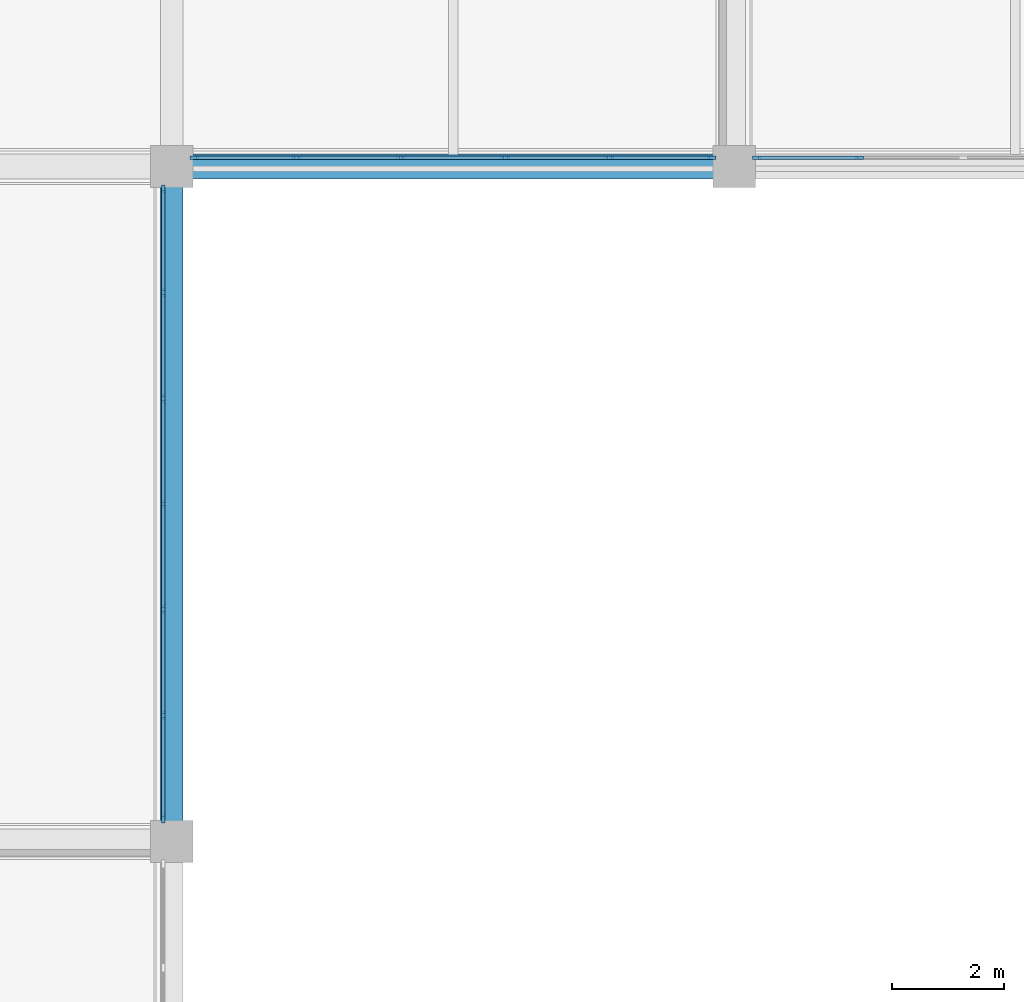
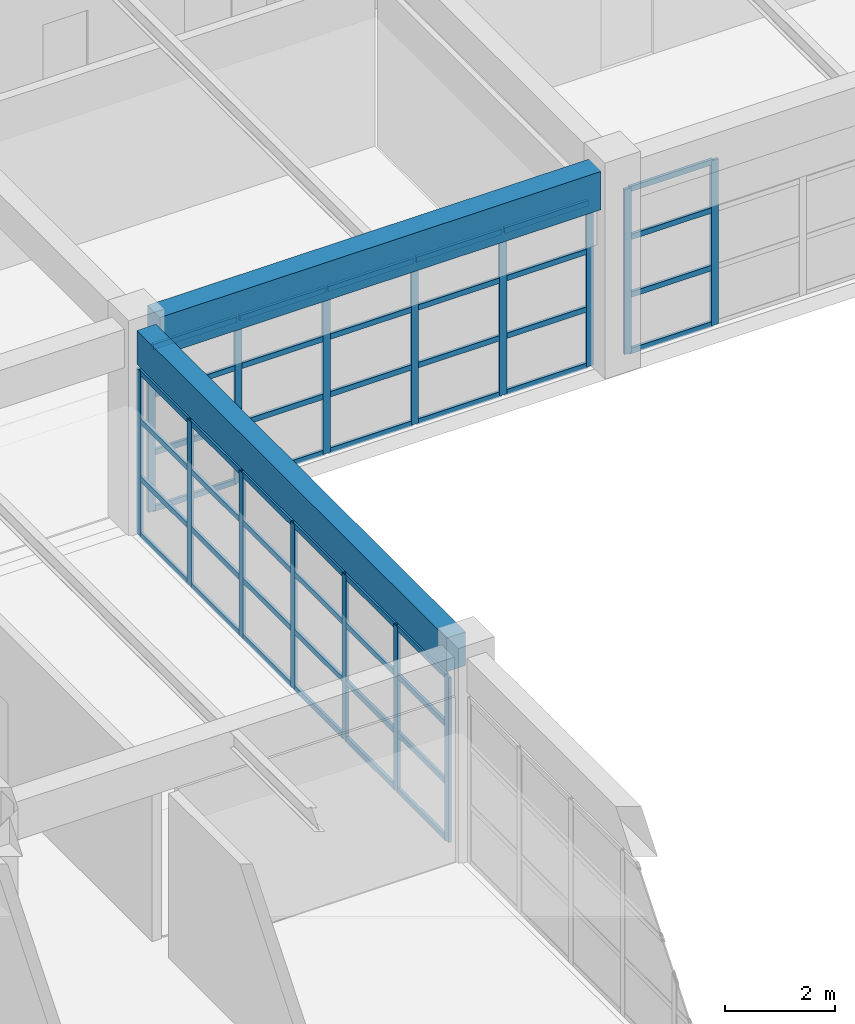
# One storey, part 56 of 109: 63 members, 2 beams, 3 elements without a shape of their own.
"""IFC4 building model written with IfcOpenShell, lengths in metres."""

from ifc_helpers import new_model, si_unit, direction, frame, origin, origin_2d, place, context, subcontext, project, spatial, rectangle, extrude, material, layer, layer_set, material_profile, profile_set, type_object, element, aggregate, save


model = new_model("IFC4")

# Units and contexts
model_context = context("Model", 3, precision=1e-05, world=origin(), true_north=direction((0.0, 1.0)))
body_context = subcontext(model_context, "Body", "Model", "MODEL_VIEW")
ifc_project = project(units=[si_unit("LENGTHUNIT", "METRE"), si_unit("AREAUNIT", "SQUARE_METRE"), si_unit("VOLUMEUNIT", "CUBIC_METRE"), si_unit("PLANEANGLEUNIT", "RADIAN"), si_unit("MASSUNIT", "GRAM", prefix="KILO")], contexts=[model_context])

# Site, building, storey
site_placement = place(None, origin())
site = spatial("IfcSite", under=ifc_project, at=site_placement, CompositionType="ELEMENT")
building_placement = place(site_placement, origin())
building = spatial("IfcBuilding", under=site, at=building_placement, Name="Kivolera Central Railway Station", CompositionType="ELEMENT")
storey_placement = place(building_placement, frame((0.0, 0.0, 9.60009765625)))
storey = spatial("IfcBuildingStorey", under=building, at=storey_placement, Name="L02", CompositionType="ELEMENT", Elevation=9.60009765625)

# Beams
ifc_material_1 = material(Name="Concrete C40/50", Category="concrete")
ifc_material_profile_1 = material_profile(ifc_material_1, rectangle(XDim=0.39990234375, YDim=0.75, at=origin_2d()), Name="RC 400x750")
ifc_profile_set_1 = profile_set([ifc_material_profile_1], Name="Concrete C40/50")
beam_type_1 = type_object("IfcBeamType", Name="BM-RC-400x750", PredefinedType="BEAM", material=ifc_profile_set_1)
beam_1_placement = place(storey_placement, frame((138.0, 102.366943359375, 4.14501953125), z_axis=(0.0, 1.0, 0.0), x_axis=(-1.0, 0.0, 0.0)))
element("IfcBeam", 1, at=beam_1_placement, inside=storey, type_object=beam_type_1, Name="L02 Wing Y-Beam 14:J-K", PredefinedType="BEAM", context=body_context, shape_type="SweptSolid", body=[
    extrude(rectangle(XDim=0.39990234375, YDim=0.75, at=origin_2d()), origin(), (0.0, 0.0, 1.0), 11.26611328125),
])
ifc_material_profile_2 = material_profile(ifc_material_1, rectangle(XDim=0.449951171875, YDim=0.85009765625, at=origin_2d()), Name="RC 450x850")
ifc_profile_set_2 = profile_set([ifc_material_profile_2], Name="Concrete C40/50")
beam_type_2 = type_object("IfcBeamType", Name="BM-RC-450x850", PredefinedType="BEAM", material=ifc_profile_set_2)
beam_2_placement = place(storey_placement, frame((138.366943359375, 114.0, 4.094970703125), z_axis=(1.0, 0.0, 0.0), x_axis=(0.0, 1.0, 0.0)))
element("IfcBeam", 2, at=beam_2_placement, inside=storey, type_object=beam_type_2, Name="L02 Wing X-Beam K:14-15", PredefinedType="BEAM", context=body_context, shape_type="SweptSolid", body=[
    extrude(rectangle(XDim=0.449951171875, YDim=0.85009765625, at=origin_2d()), origin(), (0.0, 0.0, 1.0), 9.26611328125),
])

# Curtain wall, members
ifc_material_2 = material(Name="Anodised aluminium", Category="aluminium")
ifc_layer_1 = layer(ifc_material_2, 0.179931640625, Name="Anodised aluminium")
ifc_layer_set_1 = layer_set([ifc_layer_1], Name="Anodised aluminium")
curtain_wall_type_1 = type_object("IfcCurtainWallType", Name="CW-SYS-27", PredefinedType="NOTDEFINED", material=ifc_layer_set_1)
curtain_wall_1_placement = place(storey_placement, origin())
curtain_wall_1 = element("IfcCurtainWall", 3, at=curtain_wall_1_placement, inside=storey, type_object=curtain_wall_type_1, Name="L02 Curtain Wall CW-L02-CRTN-138", PredefinedType="NOTDEFINED")
ifc_material_profile_3 = material_profile(ifc_material_2, rectangle(XDim=0.06005859375, YDim=0.14990234375, at=origin_2d()), Name="ALU MULL 60x150")
ifc_profile_set_3 = profile_set([ifc_material_profile_3], Name="Anodised aluminium")
member_type_1 = type_object("IfcMemberType", Name="CWM-MUL-2", PredefinedType="MULLION", material=ifc_profile_set_3)
member_1_placement = place(storey_placement, frame((147.60009765625, 114.153076171875, -0.005126953125), z_axis=(0.0, 0.0, 1.0), x_axis=(0.0, -1.0, 0.0)))
member_1 = element("IfcMember", 4, at=member_1_placement, type_object=member_type_1, Name="CW-27 mullion 1", PredefinedType="MULLION", context=body_context, shape_type="SweptSolid", body=[
    extrude(rectangle(XDim=0.06005859375, YDim=0.14990234375, at=origin_2d()), origin(), (0.0, 0.0, 1.0), 3.6630859375),
])
member_2_placement = place(storey_placement, frame((145.778076171875, 114.153076171875, -0.005126953125), z_axis=(0.0, 0.0, 1.0), x_axis=(0.0, -1.0, 0.0)))
member_2 = element("IfcMember", 5, at=member_2_placement, type_object=member_type_1, Name="CW-27 mullion 2", PredefinedType="MULLION", context=body_context, shape_type="SweptSolid", body=[
    extrude(rectangle(XDim=0.06005859375, YDim=0.14990234375, at=origin_2d()), origin(), (0.0, 0.0, 1.0), 3.6630859375),
])
member_3_placement = place(storey_placement, frame((143.926025390625, 114.153076171875, -0.005126953125), z_axis=(0.0, 0.0, 1.0), x_axis=(0.0, -1.0, 0.0)))
member_3 = element("IfcMember", 6, at=member_3_placement, type_object=member_type_1, Name="CW-27 mullion 3", PredefinedType="MULLION", context=body_context, shape_type="SweptSolid", body=[
    extrude(rectangle(XDim=0.06005859375, YDim=0.14990234375, at=origin_2d()), origin(), (0.0, 0.0, 1.0), 3.6630859375),
])
member_4_placement = place(storey_placement, frame((142.073974609375, 114.153076171875, -0.005126953125), z_axis=(0.0, 0.0, 1.0), x_axis=(0.0, -1.0, 0.0)))
member_4 = element("IfcMember", 7, at=member_4_placement, type_object=member_type_1, Name="CW-27 mullion 4", PredefinedType="MULLION", context=body_context, shape_type="SweptSolid", body=[
    extrude(rectangle(XDim=0.06005859375, YDim=0.14990234375, at=origin_2d()), origin(), (0.0, 0.0, 1.0), 3.6630859375),
])
member_5_placement = place(storey_placement, frame((140.221923828125, 114.153076171875, -0.005126953125), z_axis=(0.0, 0.0, 1.0), x_axis=(0.0, -1.0, 0.0)))
member_5 = element("IfcMember", 8, at=member_5_placement, type_object=member_type_1, Name="CW-27 mullion 5", PredefinedType="MULLION", context=body_context, shape_type="SweptSolid", body=[
    extrude(rectangle(XDim=0.06005859375, YDim=0.14990234375, at=origin_2d()), origin(), (0.0, 0.0, 1.0), 3.6630859375),
])
member_6_placement = place(storey_placement, frame((138.39990234375, 114.153076171875, -0.005126953125), z_axis=(0.0, 0.0, 1.0), x_axis=(0.0, -1.0, 0.0)))
member_6 = element("IfcMember", 9, at=member_6_placement, type_object=member_type_1, Name="CW-27 mullion 6", PredefinedType="MULLION", context=body_context, shape_type="SweptSolid", body=[
    extrude(rectangle(XDim=0.06005859375, YDim=0.14990234375, at=origin_2d()), origin(), (0.0, 0.0, 1.0), 3.6630859375),
])

curtain_wall_2_placement = place(storey_placement, origin())
curtain_wall_2 = element("IfcCurtainWall", 10, at=curtain_wall_2_placement, inside=storey, type_object=curtain_wall_type_1, Name="L02 Curtain Wall CW-L02-CRTN-148", PredefinedType="NOTDEFINED")
member_7_placement = place(storey_placement, frame((150.221923828125, 114.153076171875, -0.005126953125), z_axis=(0.0, 0.0, 1.0), x_axis=(0.0, -1.0, 0.0)))
member_7 = element("IfcMember", 11, at=member_7_placement, type_object=member_type_1, Name="CW-27 mullion 5", PredefinedType="MULLION", context=body_context, shape_type="SweptSolid", body=[
    extrude(rectangle(XDim=0.06005859375, YDim=0.14990234375, at=origin_2d()), origin(), (0.0, 0.0, 1.0), 3.6630859375),
])
member_8_placement = place(storey_placement, frame((148.39990234375, 114.153076171875, -0.005126953125), z_axis=(0.0, 0.0, 1.0), x_axis=(0.0, -1.0, 0.0)))
member_8 = element("IfcMember", 12, at=member_8_placement, type_object=member_type_1, Name="CW-27 mullion 6", PredefinedType="MULLION", context=body_context, shape_type="SweptSolid", body=[
    extrude(rectangle(XDim=0.06005859375, YDim=0.14990234375, at=origin_2d()), origin(), (0.0, 0.0, 1.0), 3.6630859375),
])

ifc_layer_2 = layer(ifc_material_2, 0.179931640625, Name="Anodised aluminium")
ifc_layer_set_2 = layer_set([ifc_layer_2], Name="Anodised aluminium")
curtain_wall_type_2 = type_object("IfcCurtainWallType", Name="CW-SYS-28", PredefinedType="NOTDEFINED", material=ifc_layer_set_2)
curtain_wall_3_placement = place(storey_placement, origin())
curtain_wall_3 = element("IfcCurtainWall", 13, at=curtain_wall_3_placement, inside=storey, type_object=curtain_wall_type_2, Name="L02 Curtain Wall CW-L02-CRTW-J", PredefinedType="NOTDEFINED")
member_9_placement = place(storey_placement, frame((137.846923828125, 113.60009765625, -0.005126953125), z_axis=(0.0, 0.0, 1.0), x_axis=(1.0, 0.0, 0.0)))
member_9 = element("IfcMember", 14, at=member_9_placement, type_object=member_type_1, Name="CW-28 mullion 1", PredefinedType="MULLION", context=body_context, shape_type="SweptSolid", body=[
    extrude(rectangle(XDim=0.06005859375, YDim=0.14990234375, at=origin_2d()), origin(), (0.0, 0.0, 1.0), 3.6630859375),
])
member_10_placement = place(storey_placement, frame((137.846923828125, 111.75341796875, -0.005126953125), z_axis=(0.0, 0.0, 1.0), x_axis=(1.0, 0.0, 0.0)))
member_10 = element("IfcMember", 15, at=member_10_placement, type_object=member_type_1, Name="CW-28 mullion 2", PredefinedType="MULLION", context=body_context, shape_type="SweptSolid", body=[
    extrude(rectangle(XDim=0.06005859375, YDim=0.14990234375, at=origin_2d()), origin(), (0.0, 0.0, 1.0), 3.6630859375),
])
member_11_placement = place(storey_placement, frame((137.846923828125, 109.876708984375, -0.005126953125), z_axis=(0.0, 0.0, 1.0), x_axis=(1.0, 0.0, 0.0)))
member_11 = element("IfcMember", 16, at=member_11_placement, type_object=member_type_1, Name="CW-28 mullion 3", PredefinedType="MULLION", context=body_context, shape_type="SweptSolid", body=[
    extrude(rectangle(XDim=0.06005859375, YDim=0.14990234375, at=origin_2d()), origin(), (0.0, 0.0, 1.0), 3.6630859375),
])
member_12_placement = place(storey_placement, frame((137.846923828125, 108.0, -0.005126953125), z_axis=(0.0, 0.0, 1.0), x_axis=(1.0, 0.0, 0.0)))
member_12 = element("IfcMember", 17, at=member_12_placement, type_object=member_type_1, Name="CW-28 mullion 4", PredefinedType="MULLION", context=body_context, shape_type="SweptSolid", body=[
    extrude(rectangle(XDim=0.06005859375, YDim=0.14990234375, at=origin_2d()), origin(), (0.0, 0.0, 1.0), 3.6630859375),
])
member_13_placement = place(storey_placement, frame((137.846923828125, 106.123291015625, -0.005126953125), z_axis=(0.0, 0.0, 1.0), x_axis=(1.0, 0.0, 0.0)))
member_13 = element("IfcMember", 18, at=member_13_placement, type_object=member_type_1, Name="CW-28 mullion 5", PredefinedType="MULLION", context=body_context, shape_type="SweptSolid", body=[
    extrude(rectangle(XDim=0.06005859375, YDim=0.14990234375, at=origin_2d()), origin(), (0.0, 0.0, 1.0), 3.6630859375),
])
member_14_placement = place(storey_placement, frame((137.846923828125, 104.24658203125, -0.005126953125), z_axis=(0.0, 0.0, 1.0), x_axis=(1.0, 0.0, 0.0)))
member_14 = element("IfcMember", 19, at=member_14_placement, type_object=member_type_1, Name="CW-28 mullion 6", PredefinedType="MULLION", context=body_context, shape_type="SweptSolid", body=[
    extrude(rectangle(XDim=0.06005859375, YDim=0.14990234375, at=origin_2d()), origin(), (0.0, 0.0, 1.0), 3.6630859375),
])
member_15_placement = place(storey_placement, frame((137.846923828125, 102.39990234375, -0.005126953125), z_axis=(0.0, 0.0, 1.0), x_axis=(1.0, 0.0, 0.0)))
member_15 = element("IfcMember", 20, at=member_15_placement, type_object=member_type_1, Name="CW-28 mullion 7", PredefinedType="MULLION", context=body_context, shape_type="SweptSolid", body=[
    extrude(rectangle(XDim=0.06005859375, YDim=0.14990234375, at=origin_2d()), origin(), (0.0, 0.0, 1.0), 3.6630859375),
])

# Member
ifc_material_profile_4 = material_profile(ifc_material_2, rectangle(XDim=0.06005859375, YDim=0.1201171875, at=origin_2d()), Name="ALU TRAN 60x120")
ifc_profile_set_4 = profile_set([ifc_material_profile_4], Name="Anodised aluminium")
member_type_2 = type_object("IfcMemberType", Name="CWM-TRN-2", PredefinedType="USERDEFINED", material=ifc_profile_set_4)
member_16_placement = place(storey_placement, frame((147.570068359375, 114.153076171875, 0.02978515625), z_axis=(-1.0, 0.0, 0.0), x_axis=(0.0, -1.0, 0.0)))
member_16 = element("IfcMember", 21, at=member_16_placement, type_object=member_type_2, Name="CW-27 transom 1.1", ObjectType="TRANSOM", PredefinedType="USERDEFINED", context=body_context, shape_type="SweptSolid", body=[
    extrude(rectangle(XDim=0.06005859375, YDim=0.1201171875, at=origin_2d()), origin(), (0.0, 0.0, 1.0), 1.761962890625),
])

member_17_placement = place(storey_placement, frame((147.570068359375, 114.153076171875, 1.2802734375), z_axis=(-1.0, 0.0, 0.0), x_axis=(0.0, -1.0, 0.0)))
member_17 = element("IfcMember", 22, at=member_17_placement, type_object=member_type_2, Name="CW-27 transom 1.2", ObjectType="TRANSOM", PredefinedType="USERDEFINED", context=body_context, shape_type="SweptSolid", body=[
    extrude(rectangle(XDim=0.06005859375, YDim=0.1201171875, at=origin_2d()), origin(), (0.0, 0.0, 1.0), 1.761962890625),
])

member_18_placement = place(storey_placement, frame((147.570068359375, 114.153076171875, 2.560546875), z_axis=(-1.0, 0.0, 0.0), x_axis=(0.0, -1.0, 0.0)))
member_18 = element("IfcMember", 23, at=member_18_placement, type_object=member_type_2, Name="CW-27 transom 1.3", ObjectType="TRANSOM", PredefinedType="USERDEFINED", context=body_context, shape_type="SweptSolid", body=[
    extrude(rectangle(XDim=0.06005859375, YDim=0.1201171875, at=origin_2d()), origin(), (0.0, 0.0, 1.0), 1.761962890625),
])

member_19_placement = place(storey_placement, frame((147.570068359375, 114.153076171875, 3.6279296875), z_axis=(-1.0, 0.0, 0.0), x_axis=(0.0, -1.0, 0.0)))
member_19 = element("IfcMember", 24, at=member_19_placement, type_object=member_type_2, Name="CW-27 transom 1.4", ObjectType="TRANSOM", PredefinedType="USERDEFINED", context=body_context, shape_type="SweptSolid", body=[
    extrude(rectangle(XDim=0.06005859375, YDim=0.1201171875, at=origin_2d()), origin(), (0.0, 0.0, 1.0), 1.761962890625),
])

member_20_placement = place(storey_placement, frame((145.748046875, 114.153076171875, 0.02978515625), z_axis=(-1.0, 0.0, 0.0), x_axis=(0.0, -1.0, 0.0)))
member_20 = element("IfcMember", 25, at=member_20_placement, type_object=member_type_2, Name="CW-27 transom 2.1", ObjectType="TRANSOM", PredefinedType="USERDEFINED", context=body_context, shape_type="SweptSolid", body=[
    extrude(rectangle(XDim=0.06005859375, YDim=0.1201171875, at=origin_2d()), origin(), (0.0, 0.0, 1.0), 1.7919921875),
])

member_21_placement = place(storey_placement, frame((145.748046875, 114.153076171875, 1.2802734375), z_axis=(-1.0, 0.0, 0.0), x_axis=(0.0, -1.0, 0.0)))
member_21 = element("IfcMember", 26, at=member_21_placement, type_object=member_type_2, Name="CW-27 transom 2.2", ObjectType="TRANSOM", PredefinedType="USERDEFINED", context=body_context, shape_type="SweptSolid", body=[
    extrude(rectangle(XDim=0.06005859375, YDim=0.1201171875, at=origin_2d()), origin(), (0.0, 0.0, 1.0), 1.7919921875),
])

member_22_placement = place(storey_placement, frame((145.748046875, 114.153076171875, 2.560546875), z_axis=(-1.0, 0.0, 0.0), x_axis=(0.0, -1.0, 0.0)))
member_22 = element("IfcMember", 27, at=member_22_placement, type_object=member_type_2, Name="CW-27 transom 2.3", ObjectType="TRANSOM", PredefinedType="USERDEFINED", context=body_context, shape_type="SweptSolid", body=[
    extrude(rectangle(XDim=0.06005859375, YDim=0.1201171875, at=origin_2d()), origin(), (0.0, 0.0, 1.0), 1.7919921875),
])

member_23_placement = place(storey_placement, frame((145.748046875, 114.153076171875, 3.6279296875), z_axis=(-1.0, 0.0, 0.0), x_axis=(0.0, -1.0, 0.0)))
member_23 = element("IfcMember", 28, at=member_23_placement, type_object=member_type_2, Name="CW-27 transom 2.4", ObjectType="TRANSOM", PredefinedType="USERDEFINED", context=body_context, shape_type="SweptSolid", body=[
    extrude(rectangle(XDim=0.06005859375, YDim=0.1201171875, at=origin_2d()), origin(), (0.0, 0.0, 1.0), 1.7919921875),
])

member_24_placement = place(storey_placement, frame((143.89599609375, 114.153076171875, 0.02978515625), z_axis=(-1.0, 0.0, 0.0), x_axis=(0.0, -1.0, 0.0)))
member_24 = element("IfcMember", 29, at=member_24_placement, type_object=member_type_2, Name="CW-27 transom 3.1", ObjectType="TRANSOM", PredefinedType="USERDEFINED", context=body_context, shape_type="SweptSolid", body=[
    extrude(rectangle(XDim=0.06005859375, YDim=0.1201171875, at=origin_2d()), origin(), (0.0, 0.0, 1.0), 1.7919921875),
])

member_25_placement = place(storey_placement, frame((143.89599609375, 114.153076171875, 1.2802734375), z_axis=(-1.0, 0.0, 0.0), x_axis=(0.0, -1.0, 0.0)))
member_25 = element("IfcMember", 30, at=member_25_placement, type_object=member_type_2, Name="CW-27 transom 3.2", ObjectType="TRANSOM", PredefinedType="USERDEFINED", context=body_context, shape_type="SweptSolid", body=[
    extrude(rectangle(XDim=0.06005859375, YDim=0.1201171875, at=origin_2d()), origin(), (0.0, 0.0, 1.0), 1.7919921875),
])

member_26_placement = place(storey_placement, frame((143.89599609375, 114.153076171875, 2.560546875), z_axis=(-1.0, 0.0, 0.0), x_axis=(0.0, -1.0, 0.0)))
member_26 = element("IfcMember", 31, at=member_26_placement, type_object=member_type_2, Name="CW-27 transom 3.3", ObjectType="TRANSOM", PredefinedType="USERDEFINED", context=body_context, shape_type="SweptSolid", body=[
    extrude(rectangle(XDim=0.06005859375, YDim=0.1201171875, at=origin_2d()), origin(), (0.0, 0.0, 1.0), 1.7919921875),
])

member_27_placement = place(storey_placement, frame((143.89599609375, 114.153076171875, 3.6279296875), z_axis=(-1.0, 0.0, 0.0), x_axis=(0.0, -1.0, 0.0)))
member_27 = element("IfcMember", 32, at=member_27_placement, type_object=member_type_2, Name="CW-27 transom 3.4", ObjectType="TRANSOM", PredefinedType="USERDEFINED", context=body_context, shape_type="SweptSolid", body=[
    extrude(rectangle(XDim=0.06005859375, YDim=0.1201171875, at=origin_2d()), origin(), (0.0, 0.0, 1.0), 1.7919921875),
])

member_28_placement = place(storey_placement, frame((142.0439453125, 114.153076171875, 0.02978515625), z_axis=(-1.0, 0.0, 0.0), x_axis=(0.0, -1.0, 0.0)))
member_28 = element("IfcMember", 33, at=member_28_placement, type_object=member_type_2, Name="CW-27 transom 4.1", ObjectType="TRANSOM", PredefinedType="USERDEFINED", context=body_context, shape_type="SweptSolid", body=[
    extrude(rectangle(XDim=0.06005859375, YDim=0.1201171875, at=origin_2d()), origin(), (0.0, 0.0, 1.0), 1.7919921875),
])

member_29_placement = place(storey_placement, frame((142.0439453125, 114.153076171875, 1.2802734375), z_axis=(-1.0, 0.0, 0.0), x_axis=(0.0, -1.0, 0.0)))
member_29 = element("IfcMember", 34, at=member_29_placement, type_object=member_type_2, Name="CW-27 transom 4.2", ObjectType="TRANSOM", PredefinedType="USERDEFINED", context=body_context, shape_type="SweptSolid", body=[
    extrude(rectangle(XDim=0.06005859375, YDim=0.1201171875, at=origin_2d()), origin(), (0.0, 0.0, 1.0), 1.7919921875),
])

member_30_placement = place(storey_placement, frame((142.0439453125, 114.153076171875, 2.560546875), z_axis=(-1.0, 0.0, 0.0), x_axis=(0.0, -1.0, 0.0)))
member_30 = element("IfcMember", 35, at=member_30_placement, type_object=member_type_2, Name="CW-27 transom 4.3", ObjectType="TRANSOM", PredefinedType="USERDEFINED", context=body_context, shape_type="SweptSolid", body=[
    extrude(rectangle(XDim=0.06005859375, YDim=0.1201171875, at=origin_2d()), origin(), (0.0, 0.0, 1.0), 1.7919921875),
])

member_31_placement = place(storey_placement, frame((142.0439453125, 114.153076171875, 3.6279296875), z_axis=(-1.0, 0.0, 0.0), x_axis=(0.0, -1.0, 0.0)))
member_31 = element("IfcMember", 36, at=member_31_placement, type_object=member_type_2, Name="CW-27 transom 4.4", ObjectType="TRANSOM", PredefinedType="USERDEFINED", context=body_context, shape_type="SweptSolid", body=[
    extrude(rectangle(XDim=0.06005859375, YDim=0.1201171875, at=origin_2d()), origin(), (0.0, 0.0, 1.0), 1.7919921875),
])

member_32_placement = place(storey_placement, frame((140.19189453125, 114.153076171875, 0.02978515625), z_axis=(-1.0, 0.0, 0.0), x_axis=(0.0, -1.0, 0.0)))
member_32 = element("IfcMember", 37, at=member_32_placement, type_object=member_type_2, Name="CW-27 transom 5.1", ObjectType="TRANSOM", PredefinedType="USERDEFINED", context=body_context, shape_type="SweptSolid", body=[
    extrude(rectangle(XDim=0.06005859375, YDim=0.1201171875, at=origin_2d()), origin(), (0.0, 0.0, 1.0), 1.761962890625),
])

member_33_placement = place(storey_placement, frame((140.19189453125, 114.153076171875, 1.2802734375), z_axis=(-1.0, 0.0, 0.0), x_axis=(0.0, -1.0, 0.0)))
member_33 = element("IfcMember", 38, at=member_33_placement, type_object=member_type_2, Name="CW-27 transom 5.2", ObjectType="TRANSOM", PredefinedType="USERDEFINED", context=body_context, shape_type="SweptSolid", body=[
    extrude(rectangle(XDim=0.06005859375, YDim=0.1201171875, at=origin_2d()), origin(), (0.0, 0.0, 1.0), 1.761962890625),
])

member_34_placement = place(storey_placement, frame((140.19189453125, 114.153076171875, 2.560546875), z_axis=(-1.0, 0.0, 0.0), x_axis=(0.0, -1.0, 0.0)))
member_34 = element("IfcMember", 39, at=member_34_placement, type_object=member_type_2, Name="CW-27 transom 5.3", ObjectType="TRANSOM", PredefinedType="USERDEFINED", context=body_context, shape_type="SweptSolid", body=[
    extrude(rectangle(XDim=0.06005859375, YDim=0.1201171875, at=origin_2d()), origin(), (0.0, 0.0, 1.0), 1.761962890625),
])

member_35_placement = place(storey_placement, frame((140.19189453125, 114.153076171875, 3.6279296875), z_axis=(-1.0, 0.0, 0.0), x_axis=(0.0, -1.0, 0.0)))
member_35 = element("IfcMember", 40, at=member_35_placement, type_object=member_type_2, Name="CW-27 transom 5.4", ObjectType="TRANSOM", PredefinedType="USERDEFINED", context=body_context, shape_type="SweptSolid", body=[
    extrude(rectangle(XDim=0.06005859375, YDim=0.1201171875, at=origin_2d()), origin(), (0.0, 0.0, 1.0), 1.761962890625),
])

aggregate(curtain_wall_1, [member_1, member_2, member_3, member_4, member_5, member_6, member_16, member_17, member_18, member_19, member_20, member_21, member_22, member_23, member_24, member_25, member_26, member_27, member_28, member_29, member_30, member_31, member_32, member_33, member_34, member_35])

member_36_placement = place(storey_placement, frame((150.19189453125, 114.153076171875, 0.02978515625), z_axis=(-1.0, 0.0, 0.0), x_axis=(0.0, -1.0, 0.0)))
member_36 = element("IfcMember", 41, at=member_36_placement, type_object=member_type_2, Name="CW-27 transom 5.1", ObjectType="TRANSOM", PredefinedType="USERDEFINED", context=body_context, shape_type="SweptSolid", body=[
    extrude(rectangle(XDim=0.06005859375, YDim=0.1201171875, at=origin_2d()), origin(), (0.0, 0.0, 1.0), 1.761962890625),
])

member_37_placement = place(storey_placement, frame((150.19189453125, 114.153076171875, 1.2802734375), z_axis=(-1.0, 0.0, 0.0), x_axis=(0.0, -1.0, 0.0)))
member_37 = element("IfcMember", 42, at=member_37_placement, type_object=member_type_2, Name="CW-27 transom 5.2", ObjectType="TRANSOM", PredefinedType="USERDEFINED", context=body_context, shape_type="SweptSolid", body=[
    extrude(rectangle(XDim=0.06005859375, YDim=0.1201171875, at=origin_2d()), origin(), (0.0, 0.0, 1.0), 1.761962890625),
])

member_38_placement = place(storey_placement, frame((150.19189453125, 114.153076171875, 2.560546875), z_axis=(-1.0, 0.0, 0.0), x_axis=(0.0, -1.0, 0.0)))
member_38 = element("IfcMember", 43, at=member_38_placement, type_object=member_type_2, Name="CW-27 transom 5.3", ObjectType="TRANSOM", PredefinedType="USERDEFINED", context=body_context, shape_type="SweptSolid", body=[
    extrude(rectangle(XDim=0.06005859375, YDim=0.1201171875, at=origin_2d()), origin(), (0.0, 0.0, 1.0), 1.761962890625),
])

member_39_placement = place(storey_placement, frame((150.19189453125, 114.153076171875, 3.6279296875), z_axis=(-1.0, 0.0, 0.0), x_axis=(0.0, -1.0, 0.0)))
member_39 = element("IfcMember", 44, at=member_39_placement, type_object=member_type_2, Name="CW-27 transom 5.4", ObjectType="TRANSOM", PredefinedType="USERDEFINED", context=body_context, shape_type="SweptSolid", body=[
    extrude(rectangle(XDim=0.06005859375, YDim=0.1201171875, at=origin_2d()), origin(), (0.0, 0.0, 1.0), 1.761962890625),
])

aggregate(curtain_wall_2, [member_7, member_8, member_36, member_37, member_38, member_39])

member_40_placement = place(storey_placement, frame((137.846923828125, 113.570068359375, 0.02978515625), z_axis=(0.0, -1.0, 0.0), x_axis=(1.0, 0.0, 0.0)))
member_40 = element("IfcMember", 45, at=member_40_placement, type_object=member_type_2, Name="CW-28 transom 1.1", ObjectType="TRANSOM", PredefinedType="USERDEFINED", context=body_context, shape_type="SweptSolid", body=[
    extrude(rectangle(XDim=0.06005859375, YDim=0.1201171875, at=origin_2d()), origin(), (0.0, 0.0, 1.0), 1.78662109375),
])

member_41_placement = place(storey_placement, frame((137.846923828125, 113.570068359375, 1.2802734375), z_axis=(0.0, -1.0, 0.0), x_axis=(1.0, 0.0, 0.0)))
member_41 = element("IfcMember", 46, at=member_41_placement, type_object=member_type_2, Name="CW-28 transom 1.2", ObjectType="TRANSOM", PredefinedType="USERDEFINED", context=body_context, shape_type="SweptSolid", body=[
    extrude(rectangle(XDim=0.06005859375, YDim=0.1201171875, at=origin_2d()), origin(), (0.0, 0.0, 1.0), 1.78662109375),
])

member_42_placement = place(storey_placement, frame((137.846923828125, 113.570068359375, 2.560546875), z_axis=(0.0, -1.0, 0.0), x_axis=(1.0, 0.0, 0.0)))
member_42 = element("IfcMember", 47, at=member_42_placement, type_object=member_type_2, Name="CW-28 transom 1.3", ObjectType="TRANSOM", PredefinedType="USERDEFINED", context=body_context, shape_type="SweptSolid", body=[
    extrude(rectangle(XDim=0.06005859375, YDim=0.1201171875, at=origin_2d()), origin(), (0.0, 0.0, 1.0), 1.78662109375),
])

member_43_placement = place(storey_placement, frame((137.846923828125, 113.570068359375, 3.6279296875), z_axis=(0.0, -1.0, 0.0), x_axis=(1.0, 0.0, 0.0)))
member_43 = element("IfcMember", 48, at=member_43_placement, type_object=member_type_2, Name="CW-28 transom 1.4", ObjectType="TRANSOM", PredefinedType="USERDEFINED", context=body_context, shape_type="SweptSolid", body=[
    extrude(rectangle(XDim=0.06005859375, YDim=0.1201171875, at=origin_2d()), origin(), (0.0, 0.0, 1.0), 1.78662109375),
])

member_44_placement = place(storey_placement, frame((137.846923828125, 111.723388671875, 0.02978515625), z_axis=(0.0, -1.0, 0.0), x_axis=(1.0, 0.0, 0.0)))
member_44 = element("IfcMember", 49, at=member_44_placement, type_object=member_type_2, Name="CW-28 transom 2.1", ObjectType="TRANSOM", PredefinedType="USERDEFINED", context=body_context, shape_type="SweptSolid", body=[
    extrude(rectangle(XDim=0.06005859375, YDim=0.1201171875, at=origin_2d()), origin(), (0.0, 0.0, 1.0), 1.816650390625),
])

member_45_placement = place(storey_placement, frame((137.846923828125, 111.723388671875, 1.2802734375), z_axis=(0.0, -1.0, 0.0), x_axis=(1.0, 0.0, 0.0)))
member_45 = element("IfcMember", 50, at=member_45_placement, type_object=member_type_2, Name="CW-28 transom 2.2", ObjectType="TRANSOM", PredefinedType="USERDEFINED", context=body_context, shape_type="SweptSolid", body=[
    extrude(rectangle(XDim=0.06005859375, YDim=0.1201171875, at=origin_2d()), origin(), (0.0, 0.0, 1.0), 1.816650390625),
])

member_46_placement = place(storey_placement, frame((137.846923828125, 111.723388671875, 2.560546875), z_axis=(0.0, -1.0, 0.0), x_axis=(1.0, 0.0, 0.0)))
member_46 = element("IfcMember", 51, at=member_46_placement, type_object=member_type_2, Name="CW-28 transom 2.3", ObjectType="TRANSOM", PredefinedType="USERDEFINED", context=body_context, shape_type="SweptSolid", body=[
    extrude(rectangle(XDim=0.06005859375, YDim=0.1201171875, at=origin_2d()), origin(), (0.0, 0.0, 1.0), 1.816650390625),
])

member_47_placement = place(storey_placement, frame((137.846923828125, 111.723388671875, 3.6279296875), z_axis=(0.0, -1.0, 0.0), x_axis=(1.0, 0.0, 0.0)))
member_47 = element("IfcMember", 52, at=member_47_placement, type_object=member_type_2, Name="CW-28 transom 2.4", ObjectType="TRANSOM", PredefinedType="USERDEFINED", context=body_context, shape_type="SweptSolid", body=[
    extrude(rectangle(XDim=0.06005859375, YDim=0.1201171875, at=origin_2d()), origin(), (0.0, 0.0, 1.0), 1.816650390625),
])

member_48_placement = place(storey_placement, frame((137.846923828125, 109.8466796875, 0.02978515625), z_axis=(0.0, -1.0, 0.0), x_axis=(1.0, 0.0, 0.0)))
member_48 = element("IfcMember", 53, at=member_48_placement, type_object=member_type_2, Name="CW-28 transom 3.1", ObjectType="TRANSOM", PredefinedType="USERDEFINED", context=body_context, shape_type="SweptSolid", body=[
    extrude(rectangle(XDim=0.06005859375, YDim=0.1201171875, at=origin_2d()), origin(), (0.0, 0.0, 1.0), 1.816650390625),
])

member_49_placement = place(storey_placement, frame((137.846923828125, 109.8466796875, 1.2802734375), z_axis=(0.0, -1.0, 0.0), x_axis=(1.0, 0.0, 0.0)))
member_49 = element("IfcMember", 54, at=member_49_placement, type_object=member_type_2, Name="CW-28 transom 3.2", ObjectType="TRANSOM", PredefinedType="USERDEFINED", context=body_context, shape_type="SweptSolid", body=[
    extrude(rectangle(XDim=0.06005859375, YDim=0.1201171875, at=origin_2d()), origin(), (0.0, 0.0, 1.0), 1.816650390625),
])

member_50_placement = place(storey_placement, frame((137.846923828125, 109.8466796875, 2.560546875), z_axis=(0.0, -1.0, 0.0), x_axis=(1.0, 0.0, 0.0)))
member_50 = element("IfcMember", 55, at=member_50_placement, type_object=member_type_2, Name="CW-28 transom 3.3", ObjectType="TRANSOM", PredefinedType="USERDEFINED", context=body_context, shape_type="SweptSolid", body=[
    extrude(rectangle(XDim=0.06005859375, YDim=0.1201171875, at=origin_2d()), origin(), (0.0, 0.0, 1.0), 1.816650390625),
])

member_51_placement = place(storey_placement, frame((137.846923828125, 109.8466796875, 3.6279296875), z_axis=(0.0, -1.0, 0.0), x_axis=(1.0, 0.0, 0.0)))
member_51 = element("IfcMember", 56, at=member_51_placement, type_object=member_type_2, Name="CW-28 transom 3.4", ObjectType="TRANSOM", PredefinedType="USERDEFINED", context=body_context, shape_type="SweptSolid", body=[
    extrude(rectangle(XDim=0.06005859375, YDim=0.1201171875, at=origin_2d()), origin(), (0.0, 0.0, 1.0), 1.816650390625),
])

member_52_placement = place(storey_placement, frame((137.846923828125, 107.969970703125, 0.02978515625), z_axis=(0.0, -1.0, 0.0), x_axis=(1.0, 0.0, 0.0)))
member_52 = element("IfcMember", 57, at=member_52_placement, type_object=member_type_2, Name="CW-28 transom 4.1", ObjectType="TRANSOM", PredefinedType="USERDEFINED", context=body_context, shape_type="SweptSolid", body=[
    extrude(rectangle(XDim=0.06005859375, YDim=0.1201171875, at=origin_2d()), origin(), (0.0, 0.0, 1.0), 1.816650390625),
])

member_53_placement = place(storey_placement, frame((137.846923828125, 107.969970703125, 1.2802734375), z_axis=(0.0, -1.0, 0.0), x_axis=(1.0, 0.0, 0.0)))
member_53 = element("IfcMember", 58, at=member_53_placement, type_object=member_type_2, Name="CW-28 transom 4.2", ObjectType="TRANSOM", PredefinedType="USERDEFINED", context=body_context, shape_type="SweptSolid", body=[
    extrude(rectangle(XDim=0.06005859375, YDim=0.1201171875, at=origin_2d()), origin(), (0.0, 0.0, 1.0), 1.816650390625),
])

member_54_placement = place(storey_placement, frame((137.846923828125, 107.969970703125, 2.560546875), z_axis=(0.0, -1.0, 0.0), x_axis=(1.0, 0.0, 0.0)))
member_54 = element("IfcMember", 59, at=member_54_placement, type_object=member_type_2, Name="CW-28 transom 4.3", ObjectType="TRANSOM", PredefinedType="USERDEFINED", context=body_context, shape_type="SweptSolid", body=[
    extrude(rectangle(XDim=0.06005859375, YDim=0.1201171875, at=origin_2d()), origin(), (0.0, 0.0, 1.0), 1.816650390625),
])

member_55_placement = place(storey_placement, frame((137.846923828125, 107.969970703125, 3.6279296875), z_axis=(0.0, -1.0, 0.0), x_axis=(1.0, 0.0, 0.0)))
member_55 = element("IfcMember", 60, at=member_55_placement, type_object=member_type_2, Name="CW-28 transom 4.4", ObjectType="TRANSOM", PredefinedType="USERDEFINED", context=body_context, shape_type="SweptSolid", body=[
    extrude(rectangle(XDim=0.06005859375, YDim=0.1201171875, at=origin_2d()), origin(), (0.0, 0.0, 1.0), 1.816650390625),
])

member_56_placement = place(storey_placement, frame((137.846923828125, 106.09326171875, 0.02978515625), z_axis=(0.0, -1.0, 0.0), x_axis=(1.0, 0.0, 0.0)))
member_56 = element("IfcMember", 61, at=member_56_placement, type_object=member_type_2, Name="CW-28 transom 5.1", ObjectType="TRANSOM", PredefinedType="USERDEFINED", context=body_context, shape_type="SweptSolid", body=[
    extrude(rectangle(XDim=0.06005859375, YDim=0.1201171875, at=origin_2d()), origin(), (0.0, 0.0, 1.0), 1.816650390625),
])

member_57_placement = place(storey_placement, frame((137.846923828125, 106.09326171875, 1.2802734375), z_axis=(0.0, -1.0, 0.0), x_axis=(1.0, 0.0, 0.0)))
member_57 = element("IfcMember", 62, at=member_57_placement, type_object=member_type_2, Name="CW-28 transom 5.2", ObjectType="TRANSOM", PredefinedType="USERDEFINED", context=body_context, shape_type="SweptSolid", body=[
    extrude(rectangle(XDim=0.06005859375, YDim=0.1201171875, at=origin_2d()), origin(), (0.0, 0.0, 1.0), 1.816650390625),
])

member_58_placement = place(storey_placement, frame((137.846923828125, 106.09326171875, 2.560546875), z_axis=(0.0, -1.0, 0.0), x_axis=(1.0, 0.0, 0.0)))
member_58 = element("IfcMember", 63, at=member_58_placement, type_object=member_type_2, Name="CW-28 transom 5.3", ObjectType="TRANSOM", PredefinedType="USERDEFINED", context=body_context, shape_type="SweptSolid", body=[
    extrude(rectangle(XDim=0.06005859375, YDim=0.1201171875, at=origin_2d()), origin(), (0.0, 0.0, 1.0), 1.816650390625),
])

member_59_placement = place(storey_placement, frame((137.846923828125, 106.09326171875, 3.6279296875), z_axis=(0.0, -1.0, 0.0), x_axis=(1.0, 0.0, 0.0)))
member_59 = element("IfcMember", 64, at=member_59_placement, type_object=member_type_2, Name="CW-28 transom 5.4", ObjectType="TRANSOM", PredefinedType="USERDEFINED", context=body_context, shape_type="SweptSolid", body=[
    extrude(rectangle(XDim=0.06005859375, YDim=0.1201171875, at=origin_2d()), origin(), (0.0, 0.0, 1.0), 1.816650390625),
])

member_60_placement = place(storey_placement, frame((137.846923828125, 104.216552734375, 0.02978515625), z_axis=(0.0, -1.0, 0.0), x_axis=(1.0, 0.0, 0.0)))
member_60 = element("IfcMember", 65, at=member_60_placement, type_object=member_type_2, Name="CW-28 transom 6.1", ObjectType="TRANSOM", PredefinedType="USERDEFINED", context=body_context, shape_type="SweptSolid", body=[
    extrude(rectangle(XDim=0.06005859375, YDim=0.1201171875, at=origin_2d()), origin(), (0.0, 0.0, 1.0), 1.78662109375),
])

member_61_placement = place(storey_placement, frame((137.846923828125, 104.216552734375, 1.2802734375), z_axis=(0.0, -1.0, 0.0), x_axis=(1.0, 0.0, 0.0)))
member_61 = element("IfcMember", 66, at=member_61_placement, type_object=member_type_2, Name="CW-28 transom 6.2", ObjectType="TRANSOM", PredefinedType="USERDEFINED", context=body_context, shape_type="SweptSolid", body=[
    extrude(rectangle(XDim=0.06005859375, YDim=0.1201171875, at=origin_2d()), origin(), (0.0, 0.0, 1.0), 1.78662109375),
])

member_62_placement = place(storey_placement, frame((137.846923828125, 104.216552734375, 2.560546875), z_axis=(0.0, -1.0, 0.0), x_axis=(1.0, 0.0, 0.0)))
member_62 = element("IfcMember", 67, at=member_62_placement, type_object=member_type_2, Name="CW-28 transom 6.3", ObjectType="TRANSOM", PredefinedType="USERDEFINED", context=body_context, shape_type="SweptSolid", body=[
    extrude(rectangle(XDim=0.06005859375, YDim=0.1201171875, at=origin_2d()), origin(), (0.0, 0.0, 1.0), 1.78662109375),
])

member_63_placement = place(storey_placement, frame((137.846923828125, 104.216552734375, 3.6279296875), z_axis=(0.0, -1.0, 0.0), x_axis=(1.0, 0.0, 0.0)))
member_63 = element("IfcMember", 68, at=member_63_placement, type_object=member_type_2, Name="CW-28 transom 6.4", ObjectType="TRANSOM", PredefinedType="USERDEFINED", context=body_context, shape_type="SweptSolid", body=[
    extrude(rectangle(XDim=0.06005859375, YDim=0.1201171875, at=origin_2d()), origin(), (0.0, 0.0, 1.0), 1.78662109375),
])

aggregate(curtain_wall_3, [member_9, member_10, member_11, member_12, member_13, member_14, member_15, member_40, member_41, member_42, member_43, member_44, member_45, member_46, member_47, member_48, member_49, member_50, member_51, member_52, member_53, member_54, member_55, member_56, member_57, member_58, member_59, member_60, member_61, member_62, member_63])

save(model, "model.ifc")
